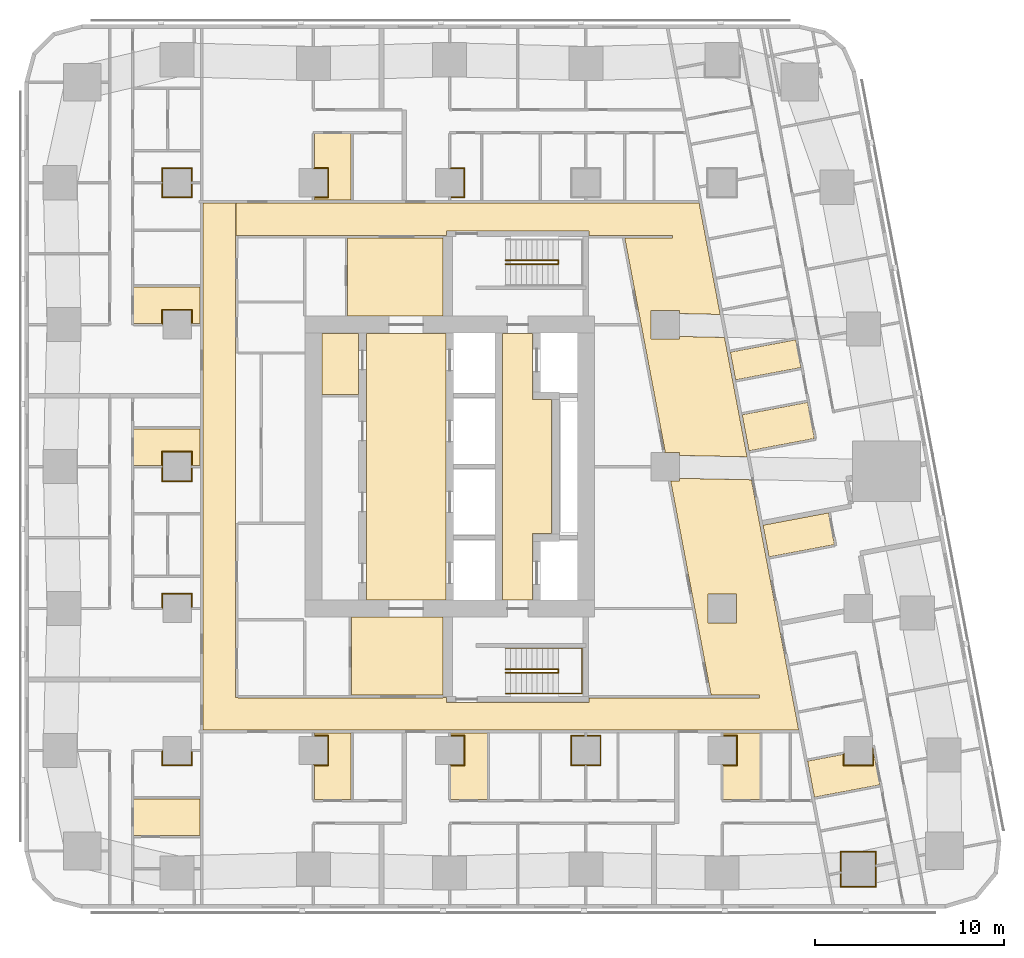
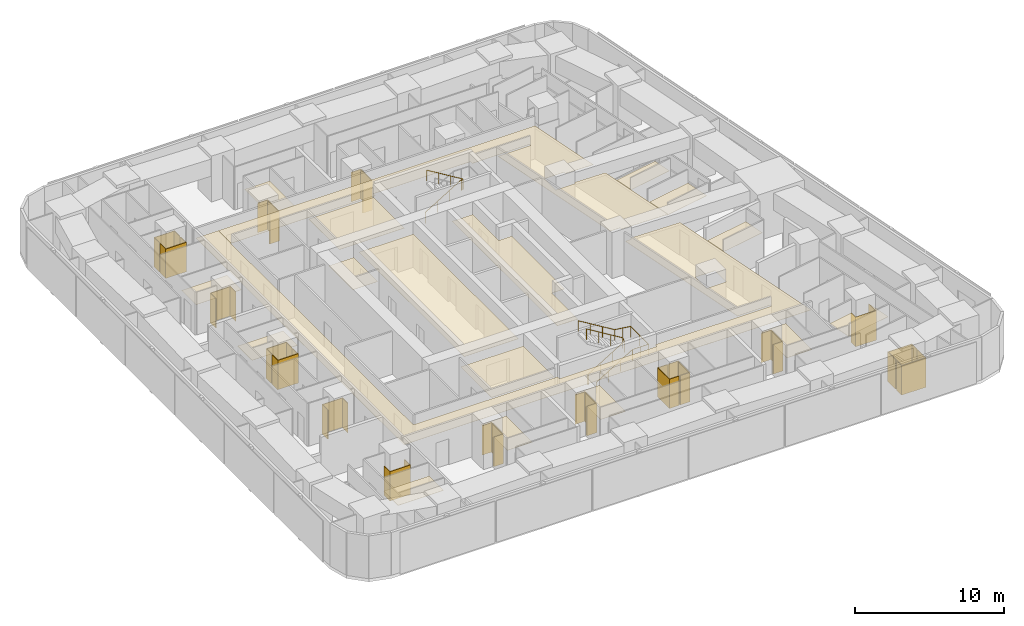
# One storey, part 14 of 15: 35 coverings, 3 railings.
"""IFC4 building model written with IfcOpenShell, lengths in metres."""

import ifcopenshell
import ifcopenshell.guid

model = None  # the IFC model being written
_history = None  # IfcOwnerHistory: only IFC2X3 demands one
_inside = {}  # id of a spatial element -> (the spatial element, [elements in it])
_under = {}  # id of a project, library or spatial element -> (it, [spatial elements below it])
_declared = {}  # id of a project -> (the project, [libraries it declares])
_typed = {}  # id of a type object -> (the type object, [elements of that type])
_made_of = {}  # id of a material, layer set ... -> (it, [elements and type objects made of it])


def new_model(schema):
    """Start an empty IFC model of exactly this schema.

    Asked for "IFC4X3", IfcOpenShell would pick the latest addendum, in which some entities
    have other attributes; the version numbers below select the first issue.
    IFC2X3 requires an IfcOwnerHistory on every rooted entity: one is made here for all.
    """
    global model, _history
    if schema == "IFC4X3":
        model = ifcopenshell.file(schema_version=(4, 3, 0, 0))
    else:
        model = ifcopenshell.file(schema=schema)
    _inside.clear()
    _under.clear()
    _declared.clear()
    _typed.clear()
    _made_of.clear()
    _history = None
    if model.schema == "IFC2X3":
        org = make("IfcOrganization", Name="unknown")
        user = make(
            "IfcPersonAndOrganization",
            ThePerson=make("IfcPerson", FamilyName="unknown"),
            TheOrganization=org,
        )
        app = make(
            "IfcApplication",
            ApplicationDeveloper=org,
            Version="unknown",
            ApplicationFullName="unknown",
            ApplicationIdentifier="unknown",
        )
        _history = make(
            "IfcOwnerHistory",
            OwningUser=user,
            OwningApplication=app,
            ChangeAction="ADDED",
            CreationDate=0,
        )
    return model


def make(cls, **values):
    """One entity of the class cls with the attributes given. An attribute that is None is left unset."""
    return model.create_entity(
        cls, **{name: value for name, value in values.items() if value is not None}
    )


def rooted(cls, **values):
    """An entity with a GlobalId (a new one), such as an element, a storey or a relation."""
    return make(cls, GlobalId=ifcopenshell.guid.new(), OwnerHistory=_history, **values)


def si_unit(unit_type, name, prefix=None):
    """IfcSIUnit, for example si_unit("LENGTHUNIT", "METRE", prefix="MILLI")."""
    return make("IfcSIUnit", UnitType=unit_type, Prefix=prefix, Name=name)


def assignment(units):
    """IfcUnitAssignment: the units of a project."""
    return None if units is None else make("IfcUnitAssignment", Units=units)


def point(xyz):
    """IfcCartesianPoint."""
    return None if xyz is None else make("IfcCartesianPoint", Coordinates=xyz)


def direction(xyz):
    """IfcDirection."""
    return None if xyz is None else make("IfcDirection", DirectionRatios=xyz)


def frame(location, z_axis=None, x_axis=None):
    """IfcAxis2Placement3D, a coordinate frame: its origin and axes. An axis left out is left unset."""
    return make(
        "IfcAxis2Placement3D",
        Location=point(location),
        Axis=direction(z_axis),
        RefDirection=direction(x_axis),
    )


def frame_2d(location, x_axis=None):
    """IfcAxis2Placement2D, a coordinate frame in the plane: its origin and x axis."""
    return make(
        "IfcAxis2Placement2D", Location=point(location), RefDirection=direction(x_axis)
    )


def origin():
    """The frame at (0, 0, 0) with its axes left unset."""
    return frame((0.0, 0.0, 0.0))


def origin_2d():
    """The frame at (0, 0) in the plane with its x axis left unset."""
    return frame_2d((0.0, 0.0))


def place(relative_to, where):
    """IfcLocalPlacement: puts the frame where relative to a parent placement (None: the world)."""
    return make(
        "IfcLocalPlacement", PlacementRelTo=relative_to, RelativePlacement=where
    )


def context(
    kind, dimensions, precision=None, world=None, true_north=None, identifier=None
):
    """IfcGeometricRepresentationContext, for example the 3D "Model" context."""
    return make(
        "IfcGeometricRepresentationContext",
        ContextIdentifier=identifier,
        ContextType=kind,
        CoordinateSpaceDimension=dimensions,
        Precision=precision,
        WorldCoordinateSystem=world,
        TrueNorth=true_north,
    )


def subcontext(parent, identifier, kind, view, scale=None):
    """IfcGeometricRepresentationSubContext, for example "Body" below "Model"."""
    return make(
        "IfcGeometricRepresentationSubContext",
        ContextIdentifier=identifier,
        ContextType=kind,
        ParentContext=parent,
        TargetScale=scale,
        TargetView=view,
    )


def project(units=None, contexts=None):
    """IfcProject with its units and contexts."""
    return rooted(
        "IfcProject",
        Name="project",
        RepresentationContexts=contexts,
        UnitsInContext=assignment(units),
    )


def spatial(cls, under=None, at=None, **own):
    """A site, building, storey or space (cls), placed at a placement, below another one or the project."""
    s = rooted(cls, ObjectPlacement=at, **own)
    if under is not None:
        _under.setdefault(under.id(), (under, []))[1].append(s)
    return s


def polyline(points):
    """IfcPolyline through the points."""
    return make("IfcPolyline", Points=[point(p) for p in points])


def profile(cls, at=None, kind="AREA", **sizes):
    """A parametric profile (cls). Its sizes go by their IFC names, for example OverallWidth=200.0."""
    return make(cls, ProfileType=kind, Position=at, **sizes)


def circle(**sizes):
    """IfcCircleProfileDef."""
    return profile("IfcCircleProfileDef", **sizes)


def outline(outer, holes=None, kind="AREA"):
    """IfcArbitraryClosedProfileDef: a profile drawn as a closed curve; with holes, ...WithVoids."""
    if holes is None:
        return make("IfcArbitraryClosedProfileDef", ProfileType=kind, OuterCurve=outer)
    return make(
        "IfcArbitraryProfileDefWithVoids",
        ProfileType=kind,
        OuterCurve=outer,
        InnerCurves=holes,
    )


def extrude(swept, where, along, depth):
    """IfcExtrudedAreaSolid: the profile swept, set in the frame where, extruded along a direction by depth."""
    return make(
        "IfcExtrudedAreaSolid",
        SweptArea=swept,
        Position=where,
        ExtrudedDirection=direction(along),
        Depth=depth,
    )


def shape(context_of_items, identifier, shape_type, items):
    """IfcShapeRepresentation: the items that make up one representation, for example the "Body"."""
    return make(
        "IfcShapeRepresentation",
        ContextOfItems=context_of_items,
        RepresentationIdentifier=identifier,
        RepresentationType=shape_type,
        Items=items,
    )


def material(Name=None, Category=None):
    """IfcMaterial."""
    return make("IfcMaterial", Name=Name, Category=Category)


def layer(
    of_material, thickness, ventilated=None, Name=None, Category=None, Priority=None
):
    """IfcMaterialLayer: one layer of a wall or slab, of a material (None: an air gap)."""
    return make(
        "IfcMaterialLayer",
        Material=of_material,
        LayerThickness=thickness,
        IsVentilated=ventilated,
        Name=Name,
        Category=Category,
        Priority=Priority,
    )


def layer_set(layers, Name=None):
    """IfcMaterialLayerSet."""
    return make("IfcMaterialLayerSet", MaterialLayers=layers, LayerSetName=Name)


def made_of(thing, what):
    """Note that an element or type object is made of a material, layer set ...; save() writes the relation."""
    if what is not None:
        _made_of.setdefault(what.id(), (what, []))[1].append(thing)
    return thing


def type_object(cls, material=None, **own):
    """A type object (cls), such as IfcWallType, which elements share."""
    return made_of(rooted(cls, **own), material)


def element(
    cls,
    number,
    at=None,
    inside=None,
    cuts=None,
    type_object=None,
    material=None,
    context=None,
    identifier="Body",
    shape_type=None,
    held_by="IfcProductDefinitionShape",
    body=None,
    shapes=None,
    **own,
):
    """One element of the class cls, such as IfcWall. Its Tag is "e" and its number.

    at: its placement. inside: the storey or other place that contains it. cuts: it is an
    opening in that element (IfcRelVoidsElement). A single representation is given by context,
    identifier, shape_type and body (its items); several are given by shapes. held_by: the class
    of the entity that holds the representations. save() writes the other relations.
    """
    e = rooted(cls, Tag="e%d" % number, ObjectPlacement=at, **own)
    if body is not None:
        shapes = [shape(context, identifier, shape_type, body)]
    if shapes is not None:
        e.Representation = make(held_by, Representations=shapes)
    if inside is not None:
        _inside.setdefault(inside.id(), (inside, []))[1].append(e)
    if cuts is not None:
        rooted(
            "IfcRelVoidsElement", RelatingBuildingElement=cuts, RelatedOpeningElement=e
        )
    if type_object is not None:
        _typed.setdefault(type_object.id(), (type_object, []))[1].append(e)
    return made_of(e, material)


def aggregate(whole, parts):
    """IfcRelAggregates: a whole, such as a stair, and the parts it consists of."""
    return rooted("IfcRelAggregates", RelatingObject=whole, RelatedObjects=parts)


def save(model, path):
    """Write the relations noted so far, then the file.

    IfcRelAggregates (storeys below a building ...), IfcRelContainedInSpatialStructure (elements
    in a storey), IfcRelDefinesByType, IfcRelAssociatesMaterial and IfcRelDeclares: one each for
    every whole, place, type object, material and project.
    """
    for whole, parts in _under.values():
        aggregate(whole, parts)
    for where, things in _inside.values():
        rooted(
            "IfcRelContainedInSpatialStructure",
            RelatedElements=things,
            RelatingStructure=where,
        )
    for kind, things in _typed.values():
        rooted("IfcRelDefinesByType", RelatedObjects=things, RelatingType=kind)
    for what, things in _made_of.values():
        rooted("IfcRelAssociatesMaterial", RelatedObjects=things, RelatingMaterial=what)
    for by, libraries in _declared.values():
        rooted("IfcRelDeclares", RelatingContext=by, RelatedDefinitions=libraries)
    model.write(path)


model = new_model("IFC4")

# Units and contexts
model_context = context("Model", 3, precision=1e-05, world=origin(), true_north=direction((0.0, 1.0)))
body_context = subcontext(model_context, "Body", "Model", "MODEL_VIEW")
ifc_project = project(units=[si_unit("LENGTHUNIT", "METRE"), si_unit("AREAUNIT", "SQUARE_METRE"), si_unit("VOLUMEUNIT", "CUBIC_METRE"), si_unit("PLANEANGLEUNIT", "RADIAN"), si_unit("MASSUNIT", "GRAM", prefix="KILO")], contexts=[model_context])

# Site, building, storey
site_placement = place(None, origin())
site = spatial("IfcSite", under=ifc_project, at=site_placement, CompositionType="ELEMENT")
building_placement = place(site_placement, origin())
building = spatial("IfcBuilding", under=site, at=building_placement, Name="Sheger Commons Tower", CompositionType="ELEMENT")
storey_placement = place(building_placement, frame((0.0, 0.0, 162.050048828125)))
storey = spatial("IfcBuildingStorey", under=building, at=storey_placement, Name="L41", CompositionType="ELEMENT", Elevation=162.050048828125)

# Railings
ifc_material_1 = material(Name="Steel handrail, black powder-coated", Category="steel")
railing_type = type_object("IfcRailingType", Name="HANDRAIL 900", PredefinedType="HANDRAIL", material=ifc_material_1)
railing_1_placement = place(storey_placement, frame((24.550048828125, 11.60009765625, 0.17041015625)))
element("IfcRailing", 1, at=railing_1_placement, inside=storey, type_object=railing_type, Name="Stair S1 handrail L41", PredefinedType="HANDRAIL", context=body_context, shape_type="SweptSolid", body=[
    extrude(circle(Radius=0.02392578125, at=origin_2d()), frame((0.0, 0.0, 0.8759765625), z_axis=(0.854169791009, 0.0, 0.51999420009), x_axis=(0.0, 1.0, 0.0)), (0.0, 0.0, 1.0), 3.278076171875),
    extrude(circle(Radius=0.02392578125, at=origin_2d()), frame((2.800048828125, 0.0, 2.58056640625), z_axis=(0.0, 0.761090297175, 0.648645943136), x_axis=(-1.0, 0.0, 0.0)), (0.0, 0.0, 1.0), 0.2626953125),
    extrude(circle(Radius=0.02392578125, at=origin_2d()), frame((2.800048828125, 0.199951171875, 2.7509765625), z_axis=(-0.854169791009, 0.0, 0.51999420009), x_axis=(0.0, -1.0, 0.0)), (0.0, 0.0, 1.0), 3.278076171875),
    extrude(circle(Radius=0.02099609375, at=origin_2d()), origin(), (0.0, 0.0, 1.0), 0.851806640625),
    extrude(circle(Radius=0.02099609375, at=origin_2d()), frame((0.933349609375, 0.0, 0.568115234375)), (0.0, 0.0, 1.0), 0.851806640625),
    extrude(circle(Radius=0.02099609375, at=origin_2d()), frame((1.86669921875, 0.0, 1.136474609375)), (0.0, 0.0, 1.0), 0.851806640625),
    extrude(circle(Radius=0.02099609375, at=origin_2d()), frame((2.800048828125, 0.0, 1.70458984375)), (0.0, 0.0, 1.0), 0.851806640625),
    extrude(circle(Radius=0.02099609375, at=origin_2d()), frame((2.800048828125, 0.199951171875, 1.875)), (0.0, 0.0, 1.0), 0.851806640625),
    extrude(circle(Radius=0.02099609375, at=origin_2d()), frame((1.86669921875, 0.199951171875, 2.443115234375)), (0.0, 0.0, 1.0), 0.851806640625),
    extrude(circle(Radius=0.02099609375, at=origin_2d()), frame((0.933349609375, 0.199951171875, 3.011474609375)), (0.0, 0.0, 1.0), 0.851806640625),
    extrude(circle(Radius=0.02099609375, at=origin_2d()), frame((0.0, 0.199951171875, 3.57958984375)), (0.0, 0.0, 1.0), 0.851806640625),
])
railing_2_placement = place(storey_placement, frame((24.550048828125, 10.5, 0.17041015625)))
element("IfcRailing", 2, at=railing_2_placement, inside=storey, type_object=railing_type, Name="Stair S1 handrail L41", PredefinedType="HANDRAIL", context=body_context, shape_type="SweptSolid", body=[
    extrude(circle(Radius=0.02392578125, at=origin_2d()), frame((0.0, 0.0, 0.8759765625), z_axis=(0.854169791009, 0.0, 0.51999420009), x_axis=(0.0, 1.0, 0.0)), (0.0, 0.0, 1.0), 3.278076171875),
    extrude(circle(Radius=0.02392578125, at=origin_2d()), frame((2.800048828125, 0.0, 2.58056640625), z_axis=(1.0, 0.0, 0.0), x_axis=(0.0, 1.0, 0.0)), (0.0, 0.0, 1.0), 1.25),
    extrude(circle(Radius=0.02392578125, at=origin_2d()), frame((4.050048828125, 0.0, 2.58056640625), z_axis=(0.0, 1.0, 0.0), x_axis=(-1.0, 0.0, 0.0)), (0.0, 0.0, 1.0), 2.39990234375),
    extrude(circle(Radius=0.02392578125, at=origin_2d()), frame((4.050048828125, 2.39990234375, 2.58056640625), z_axis=(-0.990834877927, 0.0, 0.135078661092), x_axis=(0.0, -1.0, 0.0)), (0.0, 0.0, 1.0), 1.261474609375),
    extrude(circle(Radius=0.02392578125, at=origin_2d()), frame((2.800048828125, 2.39990234375, 2.7509765625), z_axis=(-0.854169791009, 0.0, 0.51999420009), x_axis=(0.0, -1.0, 0.0)), (0.0, 0.0, 1.0), 3.278076171875),
    extrude(circle(Radius=0.02099609375, at=origin_2d()), origin(), (0.0, 0.0, 1.0), 0.851806640625),
    extrude(circle(Radius=0.02099609375, at=origin_2d()), frame((0.933349609375, 0.0, 0.568115234375)), (0.0, 0.0, 1.0), 0.851806640625),
    extrude(circle(Radius=0.02099609375, at=origin_2d()), frame((1.86669921875, 0.0, 1.136474609375)), (0.0, 0.0, 1.0), 0.851806640625),
    extrude(circle(Radius=0.02099609375, at=origin_2d()), frame((2.800048828125, 0.0, 1.70458984375)), (0.0, 0.0, 1.0), 0.851806640625),
    extrude(circle(Radius=0.02099609375, at=origin_2d()), frame((3.425048828125, 0.0, 1.70458984375)), (0.0, 0.0, 1.0), 0.851806640625),
    extrude(circle(Radius=0.02099609375, at=origin_2d()), frame((4.050048828125, 0.0, 1.70458984375)), (0.0, 0.0, 1.0), 0.851806640625),
    extrude(circle(Radius=0.02099609375, at=origin_2d()), frame((4.050048828125, 1.199951171875, 1.70458984375)), (0.0, 0.0, 1.0), 0.851806640625),
    extrude(circle(Radius=0.02099609375, at=origin_2d()), frame((4.050048828125, 2.39990234375, 1.70458984375)), (0.0, 0.0, 1.0), 0.851806640625),
    extrude(circle(Radius=0.02099609375, at=origin_2d()), frame((3.425048828125, 2.39990234375, 1.789794921875)), (0.0, 0.0, 1.0), 0.851806640625),
    extrude(circle(Radius=0.02099609375, at=origin_2d()), frame((2.800048828125, 2.39990234375, 1.875)), (0.0, 0.0, 1.0), 0.851806640625),
    extrude(circle(Radius=0.02099609375, at=origin_2d()), frame((1.86669921875, 2.39990234375, 2.443115234375)), (0.0, 0.0, 1.0), 0.851806640625),
    extrude(circle(Radius=0.02099609375, at=origin_2d()), frame((0.933349609375, 2.39990234375, 3.011474609375)), (0.0, 0.0, 1.0), 0.851806640625),
    extrude(circle(Radius=0.02099609375, at=origin_2d()), frame((0.0, 2.39990234375, 3.57958984375)), (0.0, 0.0, 1.0), 0.851806640625),
])
railing_3_placement = place(storey_placement, frame((24.550048828125, 33.39990234375, 0.17041015625)))
element("IfcRailing", 3, at=railing_3_placement, inside=storey, type_object=railing_type, Name="Stair S2 handrail L41", PredefinedType="HANDRAIL", context=body_context, shape_type="SweptSolid", body=[
    extrude(circle(Radius=0.02392578125, at=origin_2d()), frame((0.0, 0.0, 0.8759765625), z_axis=(0.854169791009, 0.0, 0.51999420009), x_axis=(0.0, 1.0, 0.0)), (0.0, 0.0, 1.0), 3.278076171875),
    extrude(circle(Radius=0.02392578125, at=origin_2d()), frame((2.800048828125, 0.0, 2.58056640625), z_axis=(0.0, -0.761090297175, 0.648645943136), x_axis=(1.0, 0.0, 0.0)), (0.0, 0.0, 1.0), 0.2626953125),
    extrude(circle(Radius=0.02392578125, at=origin_2d()), frame((2.800048828125, -0.199951171875, 2.7509765625), z_axis=(-0.854169791009, 0.0, 0.51999420009), x_axis=(0.0, -1.0, 0.0)), (0.0, 0.0, 1.0), 3.278076171875),
    extrude(circle(Radius=0.02099609375, at=origin_2d()), origin(), (0.0, 0.0, 1.0), 0.851806640625),
    extrude(circle(Radius=0.02099609375, at=origin_2d()), frame((0.933349609375, 0.0, 0.568115234375)), (0.0, 0.0, 1.0), 0.851806640625),
    extrude(circle(Radius=0.02099609375, at=origin_2d()), frame((1.86669921875, 0.0, 1.136474609375)), (0.0, 0.0, 1.0), 0.851806640625),
    extrude(circle(Radius=0.02099609375, at=origin_2d()), frame((2.800048828125, 0.0, 1.70458984375)), (0.0, 0.0, 1.0), 0.851806640625),
    extrude(circle(Radius=0.02099609375, at=origin_2d()), frame((2.800048828125, -0.199951171875, 1.875)), (0.0, 0.0, 1.0), 0.851806640625),
    extrude(circle(Radius=0.02099609375, at=origin_2d()), frame((1.86669921875, -0.199951171875, 2.443115234375)), (0.0, 0.0, 1.0), 0.851806640625),
    extrude(circle(Radius=0.02099609375, at=origin_2d()), frame((0.933349609375, -0.199951171875, 3.011474609375)), (0.0, 0.0, 1.0), 0.851806640625),
    extrude(circle(Radius=0.02099609375, at=origin_2d()), frame((0.0, -0.199951171875, 3.57958984375)), (0.0, 0.0, 1.0), 0.851806640625),
])

# Coverings
ifc_material_2 = material(Name="Moisture-resistant gypsum plasterboard 15 mm on a suspended galvanised steel grid", Category="steel")
ifc_layer_1 = layer(ifc_material_2, 0.014892578125)
ifc_layer_set_1 = layer_set([ifc_layer_1], Name="MOISTURE-RESISTANT CEILING 15")
covering_type_1 = type_object("IfcCoveringType", Name="MOISTURE-RESISTANT CEILING 15", PredefinedType="CEILING", material=ifc_layer_set_1)
covering_1_placement = place(storey_placement, frame((0.0, 0.0, 2.39990234375)))
element("IfcCovering", 4, at=covering_1_placement, inside=storey, type_object=covering_type_1, Name="L41-01.B2 ceiling", PredefinedType="CEILING", context=body_context, shape_type="SweptSolid", body=[
    extrude(outline(polyline([(4.905029296875, 3.00390625), (8.419921875, 3.00390625), (8.419921875, 4.944091796875), (4.905029296875, 4.944091796875), (4.905029296875, 3.00390625)])), origin(), (0.0, 0.0, 1.0), 0.01513671875),
])
covering_2_placement = place(storey_placement, frame((0.0, 0.0, 2.39990234375)))
element("IfcCovering", 5, at=covering_2_placement, inside=storey, type_object=covering_type_1, Name="L41-02.B3 ceiling", PredefinedType="CEILING", context=body_context, shape_type="SweptSolid", body=[
    extrude(outline(polyline([(4.905029296875, 22.554931640625), (6.445068359375, 22.554931640625), (6.445068359375, 23.2548828125), (7.955078125, 23.2548828125), (7.955078125, 22.554931640625), (8.419921875, 22.554931640625), (8.419921875, 24.4951171875), (4.905029296875, 24.4951171875), (4.905029296875, 22.554931640625)])), origin(), (0.0, 0.0, 1.0), 0.01513671875),
])
covering_3_placement = place(storey_placement, frame((0.0, 0.0, 2.39990234375)))
element("IfcCovering", 6, at=covering_3_placement, inside=storey, type_object=covering_type_1, Name="L41-03.B1 ceiling", PredefinedType="CEILING", context=body_context, shape_type="SweptSolid", body=[
    extrude(outline(polyline([(4.905029296875, 30.054931640625), (6.445068359375, 30.054931640625), (6.445068359375, 30.7548828125), (7.955078125, 30.7548828125), (7.955078125, 30.054931640625), (8.419921875, 30.054931640625), (8.419921875, 31.9951171875), (4.905029296875, 31.9951171875), (4.905029296875, 30.054931640625)])), origin(), (0.0, 0.0, 1.0), 0.01513671875),
])
covering_4_placement = place(storey_placement, frame((0.0, 0.0, 2.39990234375)))
element("IfcCovering", 7, at=covering_4_placement, inside=storey, type_object=covering_type_1, Name="L41-04.B1 ceiling", PredefinedType="CEILING", context=body_context, shape_type="SweptSolid", body=[
    extrude(outline(polyline([(14.455078125, 4.905029296875), (16.39501953125, 4.905029296875), (16.39501953125, 8.419921875), (14.455078125, 8.419921875), (14.455078125, 8.2548828125), (15.155029296875, 8.2548828125), (15.155029296875, 6.7451171875), (14.455078125, 6.7451171875), (14.455078125, 4.905029296875)])), origin(), (0.0, 0.0, 1.0), 0.01513671875),
])
covering_5_placement = place(storey_placement, frame((0.0, 0.0, 2.39990234375)))
element("IfcCovering", 8, at=covering_5_placement, inside=storey, type_object=covering_type_1, Name="L41-05.B1 ceiling", PredefinedType="CEILING", context=body_context, shape_type="SweptSolid", body=[
    extrude(outline(polyline([(21.655029296875, 4.905029296875), (23.594970703125, 4.905029296875), (23.594970703125, 8.419921875), (21.655029296875, 8.419921875), (21.655029296875, 8.2548828125), (22.35498046875, 8.2548828125), (22.35498046875, 6.7451171875), (21.655029296875, 6.7451171875), (21.655029296875, 4.905029296875)])), origin(), (0.0, 0.0, 1.0), 0.01513671875),
])
covering_6_placement = place(storey_placement, frame((0.0, 0.0, 2.39990234375)))
element("IfcCovering", 9, at=covering_6_placement, inside=storey, type_object=covering_type_1, Name="L41-06.B1 ceiling", PredefinedType="CEILING", context=body_context, shape_type="SweptSolid", body=[
    extrude(outline(polyline([(36.054931640625, 4.905029296875), (37.9951171875, 4.905029296875), (37.9951171875, 8.419921875), (36.054931640625, 8.419921875), (36.054931640625, 8.2548828125), (36.7548828125, 8.2548828125), (36.7548828125, 6.7451171875), (36.054931640625, 6.7451171875), (36.054931640625, 4.905029296875)])), origin(), (0.0, 0.0, 1.0), 0.01513671875),
])
covering_7_placement = place(storey_placement, frame((0.0, 0.0, 2.39990234375)))
element("IfcCovering", 10, at=covering_7_placement, inside=storey, type_object=covering_type_1, Name="L41-07.B1 ceiling", PredefinedType="CEILING", context=body_context, shape_type="SweptSolid", body=[
    extrude(outline(polyline([(37.423095703125, 23.333984375), (40.876953125, 23.987060546875), (40.51708984375, 25.89306640625), (37.06298828125, 25.240966796875), (37.423095703125, 23.333984375)])), origin(), (0.0, 0.0, 1.0), 0.01513671875),
])
covering_8_placement = place(storey_placement, frame((0.0, 0.0, 2.39990234375)))
element("IfcCovering", 11, at=covering_8_placement, inside=storey, type_object=covering_type_1, Name="L41-07.B2 ceiling", PredefinedType="CEILING", context=body_context, shape_type="SweptSolid", body=[
    extrude(outline(polyline([(36.715087890625, 27.083984375), (40.1689453125, 27.736083984375), (39.89208984375, 29.200927734375), (36.43798828125, 28.548095703125), (36.715087890625, 27.083984375)])), origin(), (0.0, 0.0, 1.0), 0.01513671875),
])
covering_9_placement = place(storey_placement, frame((0.0, 0.0, 2.39990234375)))
element("IfcCovering", 12, at=covering_9_placement, inside=storey, type_object=covering_type_1, Name="L41-08.B1 ceiling", PredefinedType="CEILING", context=body_context, shape_type="SweptSolid", body=[
    extrude(outline(polyline([(38.48193359375, 17.72802734375), (41.93701171875, 18.3798828125), (41.6201171875, 20.054931640625), (38.166015625, 19.403076171875), (38.48193359375, 17.72802734375)])), origin(), (0.0, 0.0, 1.0), 0.01513671875),
])
covering_10_placement = place(storey_placement, frame((0.0, 0.0, 2.39990234375)))
element("IfcCovering", 13, at=covering_10_placement, inside=storey, type_object=covering_type_1, Name="L41-09.B2 ceiling", PredefinedType="CEILING", context=body_context, shape_type="SweptSolid", body=[
    extrude(outline(polyline([(40.8798828125, 5.031982421875), (44.3349609375, 5.68408203125), (43.964111328125, 7.64501953125), (43.955078125, 7.64306640625), (43.955078125, 6.7451171875), (42.445068359375, 6.7451171875), (42.445068359375, 7.302001953125), (40.52001953125, 6.93798828125), (40.8798828125, 5.031982421875)])), origin(), (0.0, 0.0, 1.0), 0.01513671875),
])
covering_11_placement = place(storey_placement, frame((0.0, 0.0, 2.39990234375)))
element("IfcCovering", 14, at=covering_11_placement, inside=storey, type_object=covering_type_1, Name="L41-10.B1 ceiling", PredefinedType="CEILING", context=body_context, shape_type="SweptSolid", body=[
    extrude(outline(polyline([(14.455078125, 36.580078125), (16.39501953125, 36.580078125), (16.39501953125, 40.094970703125), (14.455078125, 40.094970703125), (14.455078125, 38.2548828125), (15.155029296875, 38.2548828125), (15.155029296875, 36.7451171875), (14.455078125, 36.7451171875), (14.455078125, 36.580078125)])), origin(), (0.0, 0.0, 1.0), 0.01513671875),
])
covering_12_placement = place(storey_placement, frame((0.0, 0.0, 2.39990234375)))
element("IfcCovering", 15, at=covering_12_placement, inside=storey, type_object=covering_type_1, Name="L41-CRB2 ceiling", PredefinedType="CEILING", context=body_context, shape_type="SweptSolid", body=[
    extrude(outline(polyline([(14.85498046875, 26.31689453125), (16.794921875, 26.31689453125), (16.794921875, 29.544921875), (14.85498046875, 29.544921875), (14.85498046875, 26.31689453125)])), origin(), (0.0, 0.0, 1.0), 0.01513671875),
])
ifc_material_3 = material(Name="Gypsum plasterboard 15 mm on a suspended steel grid", Category="steel")
ifc_layer_2 = layer(ifc_material_3, 0.014892578125)
ifc_layer_set_2 = layer_set([ifc_layer_2], Name="SUSPENDED CEILING 15")
covering_type_2 = type_object("IfcCoveringType", Name="SUSPENDED CEILING 15", PredefinedType="CEILING", material=ifc_layer_set_2)
covering_13_placement = place(storey_placement, frame((0.0, 0.0, 2.699951171875)))
element("IfcCovering", 16, at=covering_13_placement, inside=storey, type_object=covering_type_2, Name="L41-CO ceiling", PredefinedType="CEILING", context=body_context, shape_type="SweptSolid", body=[
    extrude(outline(polyline([(8.580078125, 8.580078125), (40.047119140625, 8.580078125), (37.549072265625, 21.802978515625), (33.7548828125, 21.8798828125), (33.7548828125, 21.7451171875), (33.283935546875, 21.7451171875), (35.4208984375, 10.431884765625), (35.384033203125, 10.425048828125), (35.385986328125, 10.41796875), (37.968017578125, 10.41796875), (37.968017578125, 10.281982421875), (28.955078125, 10.281982421875), (28.955078125, 10.044921875), (21.445068359375, 10.044921875), (21.445068359375, 10.300048828125), (21.2548828125, 10.300048828125), (21.2548828125, 10.281982421875), (10.407958984375, 10.281982421875), (10.407958984375, 10.294921875), (10.281982421875, 10.294921875), (10.281982421875, 19.5048828125), (10.300048828125, 19.5048828125), (10.300048828125, 28.4951171875), (10.281982421875, 28.4951171875), (10.281982421875, 34.705078125), (10.298095703125, 34.705078125), (10.298095703125, 36.419921875), (8.580078125, 36.419921875), (8.580078125, 8.580078125)]), holes=[polyline([(35.2451171875, 15.7548828125), (36.7548828125, 15.7548828125), (36.7548828125, 14.2451171875), (35.2451171875, 14.2451171875), (35.2451171875, 15.7548828125)])]), origin(), (0.0, 0.0, 1.0), 0.014892578125),
])
covering_14_placement = place(storey_placement, frame((0.0, 0.0, 2.699951171875)))
element("IfcCovering", 17, at=covering_14_placement, inside=storey, type_object=covering_type_2, Name="L41-CO ceiling", PredefinedType="CEILING", context=body_context, shape_type="SweptSolid", body=[
    extrude(outline(polyline([(37.320068359375, 23.01806640625), (36.12890625, 29.323974609375), (33.7548828125, 29.3779296875), (33.7548828125, 29.2451171875), (32.2451171875, 29.2451171875), (32.2451171875, 30.7548828125), (33.7548828125, 30.7548828125), (33.7548828125, 30.587890625), (35.89892578125, 30.5400390625), (34.77294921875, 36.5), (34.77001953125, 36.5), (34.77001953125, 36.419921875), (33.365966796875, 36.419921875), (33.361083984375, 34.719970703125), (33.361083984375, 36.419921875), (10.302978515625, 36.419921875), (10.302978515625, 34.705078125), (10.407958984375, 34.705078125), (10.407958984375, 34.718017578125), (21.2548828125, 34.718017578125), (21.2548828125, 34.699951171875), (21.445068359375, 34.699951171875), (21.445068359375, 34.955078125), (28.955078125, 34.955078125), (28.955078125, 34.718017578125), (33.361083984375, 34.718017578125), (33.3779296875, 34.718017578125), (33.3779296875, 34.58203125), (30.85888671875, 34.58203125), (32.99609375, 23.27099609375), (32.958984375, 23.263916015625), (32.9609375, 23.2548828125), (33.7548828125, 23.2548828125), (33.7548828125, 23.090087890625), (37.320068359375, 23.01806640625)])), origin(), (0.0, 0.0, 1.0), 0.014892578125),
])
covering_15_placement = place(storey_placement, frame((0.0, 0.0, 2.699951171875)))
element("IfcCovering", 18, at=covering_15_placement, inside=storey, type_object=covering_type_2, Name="L41-SVS1 ceiling", PredefinedType="CEILING", context=body_context, shape_type="SweptSolid", body=[
    extrude(outline(polyline([(16.406982421875, 10.41796875), (21.2451171875, 10.41796875), (21.2451171875, 14.544921875), (16.406982421875, 14.544921875), (16.406982421875, 10.41796875)])), origin(), (0.0, 0.0, 1.0), 0.014892578125),
])
covering_16_placement = place(storey_placement, frame((0.0, 0.0, 2.699951171875)))
element("IfcCovering", 19, at=covering_16_placement, inside=storey, type_object=covering_type_2, Name="L41-SVN1 ceiling", PredefinedType="CEILING", context=body_context, shape_type="SweptSolid", body=[
    extrude(outline(polyline([(16.217041015625, 30.455078125), (21.2451171875, 30.455078125), (21.2451171875, 34.58203125), (16.217041015625, 34.58203125), (16.217041015625, 30.455078125)])), origin(), (0.0, 0.0, 1.0), 0.014892578125),
])
covering_17_placement = place(storey_placement, frame((0.0, 0.0, 2.699951171875)))
element("IfcCovering", 20, at=covering_17_placement, inside=storey, type_object=covering_type_2, Name="L41-LL ceiling", PredefinedType="CEILING", context=body_context, shape_type="SweptSolid", body=[
    extrude(outline(polyline([(17.205078125, 15.455078125), (21.39990234375, 15.455078125), (21.39990234375, 29.544921875), (17.205078125, 29.544921875), (17.205078125, 15.455078125)])), origin(), (0.0, 0.0, 1.0), 0.014892578125),
])
covering_18_placement = place(storey_placement, frame((0.0, 0.0, 2.699951171875)))
element("IfcCovering", 21, at=covering_18_placement, inside=storey, type_object=covering_type_2, Name="L41-FL ceiling", PredefinedType="CEILING", context=body_context, shape_type="SweptSolid", body=[
    extrude(outline(polyline([(24.405029296875, 15.455078125), (25.9951171875, 15.455078125), (25.9951171875, 18.955078125), (26.9951171875, 18.955078125), (26.9951171875, 26.044921875), (25.9951171875, 26.044921875), (25.9951171875, 29.544921875), (24.405029296875, 29.544921875), (24.405029296875, 15.455078125)])), origin(), (0.0, 0.0, 1.0), 0.014892578125),
])
ifc_material_4 = material(Name="Moisture-resistant gypsum board 12.5 mm on 25 mm treated timber battens, tanked and tiled", Category="wood")
ifc_layer_3 = layer(ifc_material_4, 0.050048828125)
ifc_layer_set_3 = layer_set([ifc_layer_3], Name="WET-ROOM COLUMN LINING")
covering_type_3 = type_object("IfcCoveringType", Name="WET-ROOM COLUMN LINING", PredefinedType="CLADDING", material=ifc_layer_set_3)
covering_19_placement = place(storey_placement, origin())
element("IfcCovering", 22, at=covering_19_placement, inside=storey, type_object=covering_type_3, Name="Laundry room column lining C8 L41", PredefinedType="CLADDING", context=body_context, shape_type="SweptSolid", body=[
    extrude(outline(polyline([(44.14990234375, 2.175048828125), (44.14990234375, 1.455078125), (44.10107421875, 1.446044921875), (44.110107421875, 1.39697265625), (44.10009765625, 1.39501953125), (44.10009765625, 2.125), (42.300048828125, 2.125), (42.300048828125, 1.055908203125), (42.2900390625, 1.053955078125), (42.281005859375, 1.10205078125), (42.25, 1.095947265625), (42.25, 2.175048828125), (44.14990234375, 2.175048828125)])), origin(), (0.0, 0.0, 1.0), 2.39990234375),
])
covering_20_placement = place(storey_placement, origin())
element("IfcCovering", 23, at=covering_20_placement, inside=storey, type_object=covering_type_3, Name="Store and laundry column lining C8 L41", PredefinedType="CLADDING", context=body_context, shape_type="SweptSolid", body=[
    extrude(outline(polyline([(42.300048828125, 1.055908203125), (42.300048828125, 0.324951171875), (44.10009765625, 0.324951171875), (44.10009765625, 1.39501953125), (44.110107421875, 1.39697265625), (44.118896484375, 1.347900390625), (44.14990234375, 1.35400390625), (44.14990234375, 0.27490234375), (42.25, 0.27490234375), (42.25, 0.9951171875), (42.299072265625, 1.00390625), (42.2900390625, 1.053955078125), (42.300048828125, 1.055908203125)])), origin(), (0.0, 0.0, 1.0), 2.39990234375),
])
covering_21_placement = place(storey_placement, origin())
element("IfcCovering", 24, at=covering_21_placement, inside=storey, type_object=covering_type_3, Name="Store and laundry column lining C10 L41", PredefinedType="CLADDING", context=body_context, shape_type="SweptSolid", body=[
    extrude(outline(polyline([(6.449951171875, 7.5), (6.449951171875, 6.75), (7.949951171875, 6.75), (7.949951171875, 7.5), (7.950927734375, 7.5), (7.950927734375, 7.449951171875), (8.0, 7.449951171875), (8.0, 6.699951171875), (6.39990234375, 6.699951171875), (6.39990234375, 7.449951171875), (6.448974609375, 7.449951171875), (6.448974609375, 7.5), (6.449951171875, 7.5)])), origin(), (0.0, 0.0, 1.0), 2.39990234375),
])
covering_22_placement = place(storey_placement, origin())
element("IfcCovering", 25, at=covering_22_placement, inside=storey, type_object=covering_type_3, Name="Bathroom column lining C10 L41", PredefinedType="CLADDING", context=body_context, shape_type="SweptSolid", body=[
    extrude(outline(polyline([(15.199951171875, 6.699951171875), (14.449951171875, 6.699951171875), (14.449951171875, 6.7490234375), (14.39990234375, 6.7490234375), (14.39990234375, 6.75), (15.14990234375, 6.75), (15.14990234375, 8.25), (14.39990234375, 8.25), (14.39990234375, 8.2509765625), (14.449951171875, 8.2509765625), (14.449951171875, 8.300048828125), (15.199951171875, 8.300048828125), (15.199951171875, 6.699951171875)])), origin(), (0.0, 0.0, 1.0), 2.39990234375),
])
covering_23_placement = place(storey_placement, origin())
element("IfcCovering", 26, at=covering_23_placement, inside=storey, type_object=covering_type_3, Name="Bathroom column lining C10 L41", PredefinedType="CLADDING", context=body_context, shape_type="SweptSolid", body=[
    extrude(outline(polyline([(22.39990234375, 6.699951171875), (21.64990234375, 6.699951171875), (21.64990234375, 6.7490234375), (21.60009765625, 6.7490234375), (21.60009765625, 6.75), (22.35009765625, 6.75), (22.35009765625, 8.25), (21.60009765625, 8.25), (21.60009765625, 8.2509765625), (21.64990234375, 8.2509765625), (21.64990234375, 8.300048828125), (22.39990234375, 8.300048828125), (22.39990234375, 6.699951171875)])), origin(), (0.0, 0.0, 1.0), 2.39990234375),
])
covering_24_placement = place(storey_placement, origin())
element("IfcCovering", 27, at=covering_24_placement, inside=storey, type_object=covering_type_3, Name="Laundry room column lining C10 L41", PredefinedType="CLADDING", context=body_context, shape_type="SweptSolid", body=[
    extrude(outline(polyline([(28.75, 8.300048828125), (28.75, 8.2509765625), (28.800048828125, 8.2509765625), (28.800048828125, 8.25), (28.050048828125, 8.25), (28.050048828125, 6.75), (28.800048828125, 6.75), (28.800048828125, 6.7490234375), (28.75, 6.7490234375), (28.75, 6.699951171875), (28.0, 6.699951171875), (28.0, 8.300048828125), (28.75, 8.300048828125)])), origin(), (0.0, 0.0, 1.0), 2.39990234375),
])
covering_25_placement = place(storey_placement, origin())
element("IfcCovering", 28, at=covering_25_placement, inside=storey, type_object=covering_type_3, Name="Laundry room column lining C10 L41", PredefinedType="CLADDING", context=body_context, shape_type="SweptSolid", body=[
    extrude(outline(polyline([(29.60009765625, 6.699951171875), (28.85009765625, 6.699951171875), (28.85009765625, 6.7490234375), (28.800048828125, 6.7490234375), (28.800048828125, 6.75), (29.550048828125, 6.75), (29.550048828125, 8.25), (28.800048828125, 8.25), (28.800048828125, 8.2509765625), (28.85009765625, 8.2509765625), (28.85009765625, 8.300048828125), (29.60009765625, 8.300048828125), (29.60009765625, 6.699951171875)])), origin(), (0.0, 0.0, 1.0), 2.39990234375),
])
covering_26_placement = place(storey_placement, origin())
element("IfcCovering", 29, at=covering_26_placement, inside=storey, type_object=covering_type_3, Name="Bathroom column lining C10 L41", PredefinedType="CLADDING", context=body_context, shape_type="SweptSolid", body=[
    extrude(outline(polyline([(36.800048828125, 6.699951171875), (36.050048828125, 6.699951171875), (36.050048828125, 6.7490234375), (36.0, 6.7490234375), (36.0, 6.75), (36.75, 6.75), (36.75, 8.25), (36.0, 8.25), (36.0, 8.2509765625), (36.050048828125, 8.2509765625), (36.050048828125, 8.300048828125), (36.800048828125, 8.300048828125), (36.800048828125, 6.699951171875)])), origin(), (0.0, 0.0, 1.0), 2.39990234375),
])
covering_27_placement = place(storey_placement, origin())
element("IfcCovering", 30, at=covering_27_placement, inside=storey, type_object=covering_type_3, Name="Bathroom column lining C10 L41", PredefinedType="CLADDING", context=body_context, shape_type="SweptSolid", body=[
    extrude(outline(polyline([(42.449951171875, 7.35888671875), (42.449951171875, 6.75), (43.949951171875, 6.75), (43.949951171875, 7.64208984375), (43.968994140625, 7.64599609375), (44.0, 7.48095703125), (44.0, 6.699951171875), (42.39990234375, 6.699951171875), (42.39990234375, 7.299072265625), (42.448974609375, 7.30810546875), (42.43994140625, 7.35693359375), (42.449951171875, 7.35888671875)])), origin(), (0.0, 0.0, 1.0), 2.39990234375),
])
covering_28_placement = place(storey_placement, origin())
element("IfcCovering", 31, at=covering_28_placement, inside=storey, type_object=covering_type_3, Name="Laundry room column lining C10 L41", PredefinedType="CLADDING", context=body_context, shape_type="SweptSolid", body=[
    extrude(outline(polyline([(8.0, 15.800048828125), (8.0, 15.050048828125), (7.950927734375, 15.050048828125), (7.950927734375, 15.0), (7.949951171875, 15.0), (7.949951171875, 15.75), (6.449951171875, 15.75), (6.449951171875, 15.0), (6.448974609375, 15.0), (6.448974609375, 15.050048828125), (6.39990234375, 15.050048828125), (6.39990234375, 15.800048828125), (8.0, 15.800048828125)])), origin(), (0.0, 0.0, 1.0), 2.39990234375),
])
covering_29_placement = place(storey_placement, origin())
element("IfcCovering", 32, at=covering_29_placement, inside=storey, type_object=covering_type_3, Name="Store and laundry column lining C10 L41", PredefinedType="CLADDING", context=body_context, shape_type="SweptSolid", body=[
    extrude(outline(polyline([(6.449951171875, 22.5), (6.449951171875, 21.75), (7.949951171875, 21.75), (7.949951171875, 22.5), (7.950927734375, 22.5), (7.950927734375, 22.449951171875), (8.0, 22.449951171875), (8.0, 21.699951171875), (6.39990234375, 21.699951171875), (6.39990234375, 22.449951171875), (6.448974609375, 22.449951171875), (6.448974609375, 22.5), (6.449951171875, 22.5)])), origin(), (0.0, 0.0, 1.0), 2.39990234375),
])
covering_30_placement = place(storey_placement, origin())
element("IfcCovering", 33, at=covering_30_placement, inside=storey, type_object=covering_type_3, Name="Bathroom column lining C10 L41", PredefinedType="CLADDING", context=body_context, shape_type="SweptSolid", body=[
    extrude(outline(polyline([(8.0, 23.300048828125), (8.0, 22.550048828125), (7.950927734375, 22.550048828125), (7.950927734375, 22.5), (7.949951171875, 22.5), (7.949951171875, 23.25), (6.449951171875, 23.25), (6.449951171875, 22.5), (6.448974609375, 22.5), (6.448974609375, 22.550048828125), (6.39990234375, 22.550048828125), (6.39990234375, 23.300048828125), (8.0, 23.300048828125)])), origin(), (0.0, 0.0, 1.0), 2.39990234375),
])
covering_31_placement = place(storey_placement, origin())
element("IfcCovering", 34, at=covering_31_placement, inside=storey, type_object=covering_type_3, Name="Bathroom column lining C10 L41", PredefinedType="CLADDING", context=body_context, shape_type="SweptSolid", body=[
    extrude(outline(polyline([(8.0, 30.800048828125), (8.0, 30.050048828125), (7.950927734375, 30.050048828125), (7.950927734375, 30.0), (7.949951171875, 30.0), (7.949951171875, 30.75), (6.449951171875, 30.75), (6.449951171875, 30.0), (6.448974609375, 30.0), (6.448974609375, 30.050048828125), (6.39990234375, 30.050048828125), (6.39990234375, 30.800048828125), (8.0, 30.800048828125)])), origin(), (0.0, 0.0, 1.0), 2.39990234375),
])
covering_32_placement = place(storey_placement, origin())
element("IfcCovering", 35, at=covering_32_placement, inside=storey, type_object=covering_type_3, Name="Store and laundry column lining C10 L41", PredefinedType="CLADDING", context=body_context, shape_type="SweptSolid", body=[
    extrude(outline(polyline([(6.449951171875, 37.5), (6.449951171875, 36.75), (7.949951171875, 36.75), (7.949951171875, 37.5), (7.950927734375, 37.5), (7.950927734375, 37.449951171875), (8.0, 37.449951171875), (8.0, 36.699951171875), (6.39990234375, 36.699951171875), (6.39990234375, 37.449951171875), (6.448974609375, 37.449951171875), (6.448974609375, 37.5), (6.449951171875, 37.5)])), origin(), (0.0, 0.0, 1.0), 2.39990234375),
])
covering_33_placement = place(storey_placement, origin())
element("IfcCovering", 36, at=covering_33_placement, inside=storey, type_object=covering_type_3, Name="Laundry room column lining C10 L41", PredefinedType="CLADDING", context=body_context, shape_type="SweptSolid", body=[
    extrude(outline(polyline([(8.0, 38.300048828125), (8.0, 37.550048828125), (7.950927734375, 37.550048828125), (7.950927734375, 37.5), (7.949951171875, 37.5), (7.949951171875, 38.25), (6.449951171875, 38.25), (6.449951171875, 37.5), (6.448974609375, 37.5), (6.448974609375, 37.550048828125), (6.39990234375, 37.550048828125), (6.39990234375, 38.300048828125), (8.0, 38.300048828125)])), origin(), (0.0, 0.0, 1.0), 2.39990234375),
])
covering_34_placement = place(storey_placement, origin())
element("IfcCovering", 37, at=covering_34_placement, inside=storey, type_object=covering_type_3, Name="Bathroom column lining C10 L41", PredefinedType="CLADDING", context=body_context, shape_type="SweptSolid", body=[
    extrude(outline(polyline([(15.199951171875, 36.699951171875), (14.449951171875, 36.699951171875), (14.449951171875, 36.7490234375), (14.39990234375, 36.7490234375), (14.39990234375, 36.75), (15.14990234375, 36.75), (15.14990234375, 38.25), (14.39990234375, 38.25), (14.39990234375, 38.2509765625), (14.449951171875, 38.2509765625), (14.449951171875, 38.300048828125), (15.199951171875, 38.300048828125), (15.199951171875, 36.699951171875)])), origin(), (0.0, 0.0, 1.0), 2.39990234375),
])
covering_35_placement = place(storey_placement, origin())
element("IfcCovering", 38, at=covering_35_placement, inside=storey, type_object=covering_type_3, Name="Laundry room column lining C10 L41", PredefinedType="CLADDING", context=body_context, shape_type="SweptSolid", body=[
    extrude(outline(polyline([(22.39990234375, 36.699951171875), (21.64990234375, 36.699951171875), (21.64990234375, 36.7490234375), (21.60009765625, 36.7490234375), (21.60009765625, 36.75), (22.35009765625, 36.75), (22.35009765625, 38.25), (21.60009765625, 38.25), (21.60009765625, 38.2509765625), (21.64990234375, 38.2509765625), (21.64990234375, 38.300048828125), (22.39990234375, 38.300048828125), (22.39990234375, 36.699951171875)])), origin(), (0.0, 0.0, 1.0), 2.39990234375),
])

save(model, "model.ifc")
